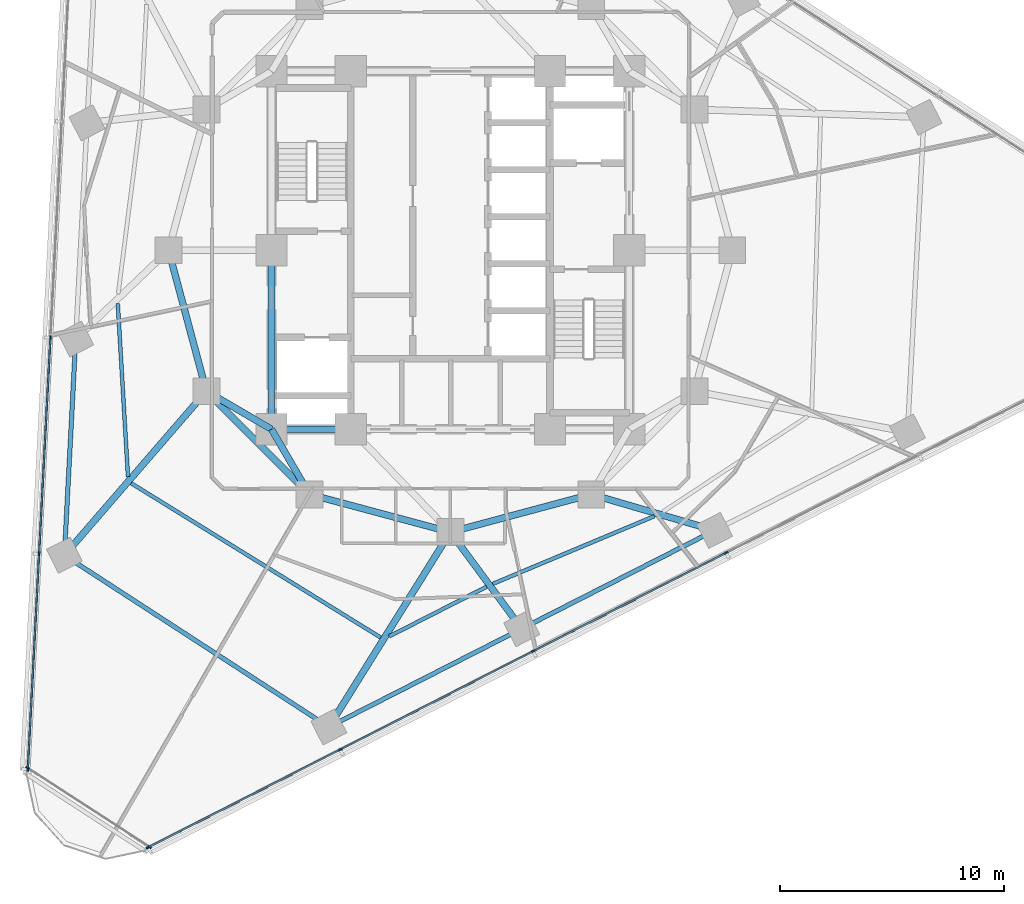
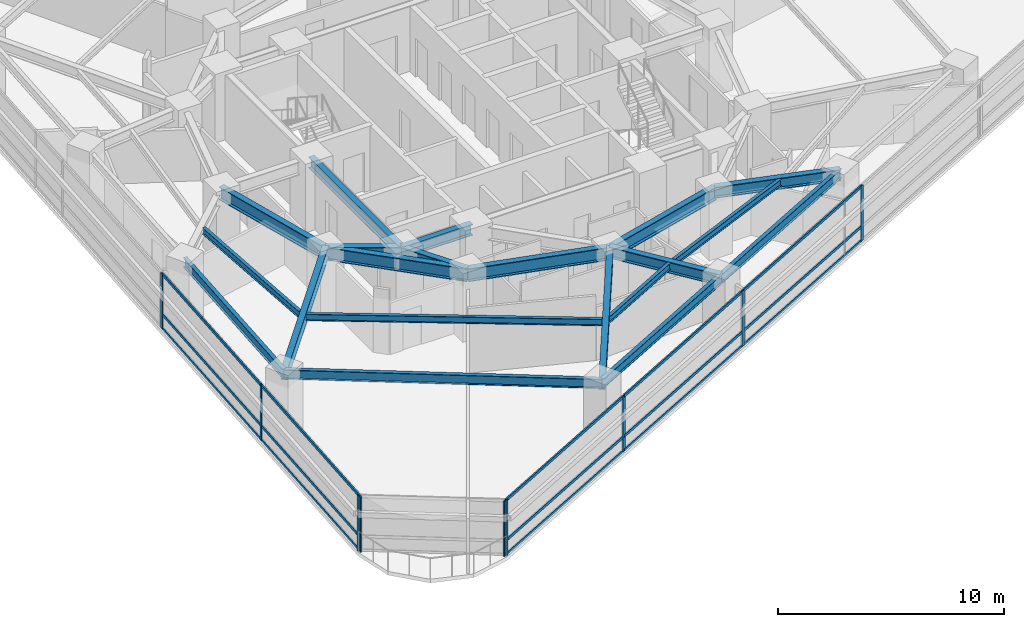
# One storey, part 2 of 14: 24 members, 20 beams, 3 elements without a shape of their own.
"""IFC4 building model written with IfcOpenShell, lengths in metres."""

from ifc_helpers import new_model, si_unit, direction, frame, origin, origin_2d, place, context, subcontext, project, spatial, rectangle, i_section, extrude, material, layer, layer_set, material_profile, profile_set, type_object, element, aggregate, save


model = new_model("IFC4")

# Units and contexts
model_context = context("Model", 3, precision=1e-05, world=origin(), true_north=direction((0.0, 1.0)))
body_context = subcontext(model_context, "Body", "Model", "MODEL_VIEW")
ifc_project = project(units=[si_unit("LENGTHUNIT", "METRE"), si_unit("AREAUNIT", "SQUARE_METRE"), si_unit("VOLUMEUNIT", "CUBIC_METRE"), si_unit("PLANEANGLEUNIT", "RADIAN"), si_unit("MASSUNIT", "GRAM", prefix="KILO")], contexts=[model_context])

# Site, building, storey
site_placement = place(None, origin())
site = spatial("IfcSite", under=ifc_project, at=site_placement, CompositionType="ELEMENT")
building_placement = place(site_placement, origin())
building = spatial("IfcBuilding", under=site, at=building_placement, Name="Terralouvre Media Tower", CompositionType="ELEMENT")
storey_placement = place(building_placement, frame((0.0, 0.0, 142.10009765625)))
storey = spatial("IfcBuildingStorey", under=building, at=storey_placement, Name="L36", CompositionType="ELEMENT", Elevation=142.10009765625)

# Beams
ifc_material_1 = material(Name="Structural steel S355J2", Category="steel")
ifc_material_profile_1 = material_profile(ifc_material_1, i_section(OverallWidth=0.169921875, OverallDepth=0.360107421875, WebThickness=0.008056640625, FlangeThickness=0.0126953125, at=origin_2d()), Name="IPE 360")
ifc_profile_set_1 = profile_set([ifc_material_profile_1], Name="Structural steel S355J2")
beam_type_1 = type_object("IfcBeamType", Name="Composite Floor Joist J-IPE360 (IPE 360)", PredefinedType="JOIST", material=ifc_profile_set_1)
beam_1_placement = place(storey_placement, frame((-14.872314453125, -2.377197265625, 3.31982421875), z_axis=(0.058878824525, -0.998265137137, 0.0), x_axis=(0.998265137137, 0.058878824525, 0.0)))
element("IfcBeam", 1, at=beam_1_placement, inside=storey, type_object=beam_type_1, Name="L36 Framing Beam JT-L36-01", PredefinedType="JOIST", context=body_context, shape_type="SweptSolid", body=[
    extrude(i_section(OverallWidth=0.169921875, OverallDepth=0.360107421875, WebThickness=0.008056640625, FlangeThickness=0.0126953125, at=origin_2d()), origin(), (0.0, 0.0, 1.0), 7.758056640625),
])
beam_2_placement = place(storey_placement, frame((-14.275390625, -10.413330078125, 3.31982421875), z_axis=(0.850512534705, -0.525954777818, 0.0), x_axis=(0.525954777818, 0.850512534705, 0.0)))
element("IfcBeam", 2, at=beam_2_placement, inside=storey, type_object=beam_type_1, Name="L36 Framing Beam JT-L36-02", PredefinedType="JOIST", context=body_context, shape_type="SweptSolid", body=[
    extrude(i_section(OverallWidth=0.169921875, OverallDepth=0.360107421875, WebThickness=0.008056640625, FlangeThickness=0.0126953125, at=origin_2d()), origin(), (0.0, 0.0, 1.0), 13.118896484375),
])
beam_3_placement = place(storey_placement, frame((-2.732666015625, -17.260986328125, 3.31982421875), z_axis=(0.891002879415, 0.453997652939, 0.0), x_axis=(-0.453997652939, 0.891002879415, 0.0)))
element("IfcBeam", 3, at=beam_3_placement, inside=storey, type_object=beam_type_1, Name="L36 Framing Beam JT-L36-03", PredefinedType="JOIST", context=body_context, shape_type="SweptSolid", body=[
    extrude(i_section(OverallWidth=0.169921875, OverallDepth=0.360107421875, WebThickness=0.008056640625, FlangeThickness=0.0126953125, at=origin_2d()), origin(), (0.0, 0.0, 1.0), 4.885009765625),
])
beam_4_placement = place(storey_placement, frame((1.89404296875, -14.916259765625, 3.31982421875), z_axis=(0.922254640504, 0.386582951085, 0.0), x_axis=(-0.386582951085, 0.922254640504, 0.0)))
element("IfcBeam", 4, at=beam_4_placement, inside=storey, type_object=beam_type_1, Name="L36 Framing Beam JT-L36-04", PredefinedType="JOIST", context=body_context, shape_type="SweptSolid", body=[
    extrude(i_section(OverallWidth=0.169921875, OverallDepth=0.360107421875, WebThickness=0.008056640625, FlangeThickness=0.0126953125, at=origin_2d()), origin(), (0.0, 0.0, 1.0), 7.8291015625),
])

# Curtain wall, members
ifc_material_2 = material(Name="Low-iron laminated double glazing with solar-control coating", Category="glass")
ifc_layer_1 = layer(ifc_material_2, 0.1650390625, Name="Production Studio Tower Curtain Wall CW-03")
ifc_layer_set_1 = layer_set([ifc_layer_1], Name="Low-iron laminated double glazing with solar-control coating")
curtain_wall_type_1 = type_object("IfcCurtainWallType", Name="Production Studio Tower Curtain Wall CW-03", PredefinedType="NOTDEFINED", material=ifc_layer_set_1)
curtain_wall_1_placement = place(storey_placement, origin())
curtain_wall_1 = element("IfcCurtainWall", 5, at=curtain_wall_1_placement, inside=storey, type_object=curtain_wall_type_1, Name="L36 Facade Curtain Wall F0", PredefinedType="NOTDEFINED")
ifc_material_3 = material(Name="Anodised extruded aluminium 6063-T6", Category="aluminium")
ifc_material_profile_2 = material_profile(ifc_material_3, rectangle(XDim=0.074951171875, YDim=0.14990234375, at=origin_2d()), Name="ALU 75x150")
ifc_profile_set_2 = profile_set([ifc_material_profile_2], Name="Anodised extruded aluminium 6063-T6")
member_type_1 = type_object("IfcMemberType", Name="Curtain-Wall Horizontal Transom TR-150", PredefinedType="USERDEFINED", material=ifc_profile_set_2)
member_1_placement = place(storey_placement, frame((-13.481689453125, -26.680419921875, 0.037353515625), z_axis=(0.891007557644, 0.453988471462, 0.0), x_axis=(-0.453988471462, 0.891007557644, 0.0)))
member_1 = element("IfcMember", 6, at=member_1_placement, type_object=member_type_1, Name="CW-03 transom 1.1", ObjectType="TRANSOM", PredefinedType="USERDEFINED", context=body_context, shape_type="SweptSolid", body=[
    extrude(rectangle(XDim=0.074951171875, YDim=0.14990234375, at=origin_2d()), origin(), (0.0, 0.0, 1.0), 9.5673828125),
])
member_2_placement = place(storey_placement, frame((-13.481689453125, -26.680419921875, 0.7998046875), z_axis=(0.891007557644, 0.453988471462, 0.0), x_axis=(-0.453988471462, 0.891007557644, 0.0)))
member_2 = element("IfcMember", 7, at=member_2_placement, type_object=member_type_1, Name="CW-03 transom 1.2", ObjectType="TRANSOM", PredefinedType="USERDEFINED", context=body_context, shape_type="SweptSolid", body=[
    extrude(rectangle(XDim=0.074951171875, YDim=0.14990234375, at=origin_2d()), origin(), (0.0, 0.0, 1.0), 9.5673828125),
])
member_3_placement = place(storey_placement, frame((-13.481689453125, -26.680419921875, 2.96240234375), z_axis=(0.891007557644, 0.453988471462, 0.0), x_axis=(-0.453988471462, 0.891007557644, 0.0)))
member_3 = element("IfcMember", 8, at=member_3_placement, type_object=member_type_1, Name="CW-03 transom 1.3", ObjectType="TRANSOM", PredefinedType="USERDEFINED", context=body_context, shape_type="SweptSolid", body=[
    extrude(rectangle(XDim=0.074951171875, YDim=0.14990234375, at=origin_2d()), origin(), (0.0, 0.0, 1.0), 9.5673828125),
])
member_4_placement = place(storey_placement, frame((-4.89013671875, -22.302978515625, 0.037353515625), z_axis=(0.891005548508, 0.453992414615, 0.0), x_axis=(-0.453992414615, 0.891005548508, 0.0)))
member_4 = element("IfcMember", 9, at=member_4_placement, type_object=member_type_1, Name="CW-03 transom 2.1", ObjectType="TRANSOM", PredefinedType="USERDEFINED", context=body_context, shape_type="SweptSolid", body=[
    extrude(rectangle(XDim=0.074951171875, YDim=0.14990234375, at=origin_2d()), origin(), (0.0, 0.0, 1.0), 9.60498046875),
])
member_5_placement = place(storey_placement, frame((-4.89013671875, -22.302978515625, 0.7998046875), z_axis=(0.891005548508, 0.453992414615, 0.0), x_axis=(-0.453992414615, 0.891005548508, 0.0)))
member_5 = element("IfcMember", 10, at=member_5_placement, type_object=member_type_1, Name="CW-03 transom 2.2", ObjectType="TRANSOM", PredefinedType="USERDEFINED", context=body_context, shape_type="SweptSolid", body=[
    extrude(rectangle(XDim=0.074951171875, YDim=0.14990234375, at=origin_2d()), origin(), (0.0, 0.0, 1.0), 9.60498046875),
])
member_6_placement = place(storey_placement, frame((-4.89013671875, -22.302978515625, 2.96240234375), z_axis=(0.891005548508, 0.453992414615, 0.0), x_axis=(-0.453992414615, 0.891005548508, 0.0)))
member_6 = element("IfcMember", 11, at=member_6_placement, type_object=member_type_1, Name="CW-03 transom 2.3", ObjectType="TRANSOM", PredefinedType="USERDEFINED", context=body_context, shape_type="SweptSolid", body=[
    extrude(rectangle(XDim=0.074951171875, YDim=0.14990234375, at=origin_2d()), origin(), (0.0, 0.0, 1.0), 9.60498046875),
])
member_7_placement = place(storey_placement, frame((3.734619140625, -17.908203125, 0.037353515625), z_axis=(0.891005548508, 0.453992414615, 0.0), x_axis=(-0.453992414615, 0.891005548508, 0.0)))
member_7 = element("IfcMember", 12, at=member_7_placement, type_object=member_type_1, Name="CW-03 transom 3.1", ObjectType="TRANSOM", PredefinedType="USERDEFINED", context=body_context, shape_type="SweptSolid", body=[
    extrude(rectangle(XDim=0.074951171875, YDim=0.14990234375, at=origin_2d()), origin(), (0.0, 0.0, 1.0), 9.60498046875),
])
member_8_placement = place(storey_placement, frame((3.734619140625, -17.908203125, 0.7998046875), z_axis=(0.891005548508, 0.453992414615, 0.0), x_axis=(-0.453992414615, 0.891005548508, 0.0)))
member_8 = element("IfcMember", 13, at=member_8_placement, type_object=member_type_1, Name="CW-03 transom 3.2", ObjectType="TRANSOM", PredefinedType="USERDEFINED", context=body_context, shape_type="SweptSolid", body=[
    extrude(rectangle(XDim=0.074951171875, YDim=0.14990234375, at=origin_2d()), origin(), (0.0, 0.0, 1.0), 9.60498046875),
])
member_9_placement = place(storey_placement, frame((3.734619140625, -17.908203125, 2.96240234375), z_axis=(0.891005548508, 0.453992414615, 0.0), x_axis=(-0.453992414615, 0.891005548508, 0.0)))
member_9 = element("IfcMember", 14, at=member_9_placement, type_object=member_type_1, Name="CW-03 transom 3.3", ObjectType="TRANSOM", PredefinedType="USERDEFINED", context=body_context, shape_type="SweptSolid", body=[
    extrude(rectangle(XDim=0.074951171875, YDim=0.14990234375, at=origin_2d()), origin(), (0.0, 0.0, 1.0), 9.60498046875),
])

curtain_wall_2_placement = place(storey_placement, origin())
curtain_wall_2 = element("IfcCurtainWall", 15, at=curtain_wall_2_placement, inside=storey, type_object=curtain_wall_type_1, Name="L36 Facade Curtain Wall F2", PredefinedType="NOTDEFINED")
member_10_placement = place(storey_placement, frame((-17.883056640625, -3.947021484375, 0.037353515625), z_axis=(-0.052336036535, -0.998629530547, 0.0), x_axis=(0.998629530547, -0.052336036535, 0.0)))
member_10 = element("IfcMember", 16, at=member_10_placement, type_object=member_type_1, Name="CW-03 transom 4.1", ObjectType="TRANSOM", PredefinedType="USERDEFINED", context=body_context, shape_type="SweptSolid", body=[
    extrude(rectangle(XDim=0.074951171875, YDim=0.14990234375, at=origin_2d()), origin(), (0.0, 0.0, 1.0), 9.60498046875),
])
member_11_placement = place(storey_placement, frame((-17.883056640625, -3.947021484375, 0.7998046875), z_axis=(-0.052336036535, -0.998629530547, 0.0), x_axis=(0.998629530547, -0.052336036535, 0.0)))
member_11 = element("IfcMember", 17, at=member_11_placement, type_object=member_type_1, Name="CW-03 transom 4.2", ObjectType="TRANSOM", PredefinedType="USERDEFINED", context=body_context, shape_type="SweptSolid", body=[
    extrude(rectangle(XDim=0.074951171875, YDim=0.14990234375, at=origin_2d()), origin(), (0.0, 0.0, 1.0), 9.60498046875),
])
member_12_placement = place(storey_placement, frame((-17.883056640625, -3.947021484375, 2.96240234375), z_axis=(-0.052336036535, -0.998629530547, 0.0), x_axis=(0.998629530547, -0.052336036535, 0.0)))
member_12 = element("IfcMember", 18, at=member_12_placement, type_object=member_type_1, Name="CW-03 transom 4.3", ObjectType="TRANSOM", PredefinedType="USERDEFINED", context=body_context, shape_type="SweptSolid", body=[
    extrude(rectangle(XDim=0.074951171875, YDim=0.14990234375, at=origin_2d()), origin(), (0.0, 0.0, 1.0), 9.60498046875),
])
member_13_placement = place(storey_placement, frame((-18.3896484375, -13.61376953125, 0.037353515625), z_axis=(-0.052336504837, -0.998629506004, 0.0), x_axis=(0.998629506004, -0.052336504837, 0.0)))
member_13 = element("IfcMember", 19, at=member_13_placement, type_object=member_type_1, Name="CW-03 transom 5.1", ObjectType="TRANSOM", PredefinedType="USERDEFINED", context=body_context, shape_type="SweptSolid", body=[
    extrude(rectangle(XDim=0.074951171875, YDim=0.14990234375, at=origin_2d()), origin(), (0.0, 0.0, 1.0), 9.567626953125),
])
member_14_placement = place(storey_placement, frame((-18.3896484375, -13.61376953125, 0.7998046875), z_axis=(-0.052336504837, -0.998629506004, 0.0), x_axis=(0.998629506004, -0.052336504837, 0.0)))
member_14 = element("IfcMember", 20, at=member_14_placement, type_object=member_type_1, Name="CW-03 transom 5.2", ObjectType="TRANSOM", PredefinedType="USERDEFINED", context=body_context, shape_type="SweptSolid", body=[
    extrude(rectangle(XDim=0.074951171875, YDim=0.14990234375, at=origin_2d()), origin(), (0.0, 0.0, 1.0), 9.567626953125),
])
member_15_placement = place(storey_placement, frame((-18.3896484375, -13.61376953125, 2.96240234375), z_axis=(-0.052336504837, -0.998629506004, 0.0), x_axis=(0.998629506004, -0.052336504837, 0.0)))
member_15 = element("IfcMember", 21, at=member_15_placement, type_object=member_type_1, Name="CW-03 transom 5.3", ObjectType="TRANSOM", PredefinedType="USERDEFINED", context=body_context, shape_type="SweptSolid", body=[
    extrude(rectangle(XDim=0.074951171875, YDim=0.14990234375, at=origin_2d()), origin(), (0.0, 0.0, 1.0), 9.567626953125),
])

# Member
ifc_material_4 = material(Name="Anodised extruded aluminium 6063-T6", Category="aluminium")
ifc_material_profile_3 = material_profile(ifc_material_4, rectangle(XDim=0.074951171875, YDim=0.179931640625, at=origin_2d()), Name="ALU 75x180")
ifc_profile_set_3 = profile_set([ifc_material_profile_3], Name="Anodised extruded aluminium 6063-T6")
member_type_2 = type_object("IfcMemberType", Name="Curtain-Wall Vertical Mullion ML-180", PredefinedType="MULLION", material=ifc_profile_set_3)
member_16_placement = place(storey_placement, frame((-13.51513671875, -26.697509765625, 0.0), z_axis=(0.0, 0.0, 1.0), x_axis=(-0.4539905449, 0.891006501178, 0.0)))
member_16 = element("IfcMember", 22, at=member_16_placement, type_object=member_type_2, Name="CW-03 mullion 1", PredefinedType="MULLION", context=body_context, shape_type="SweptSolid", body=[
    extrude(rectangle(XDim=0.074951171875, YDim=0.179931640625, at=origin_2d()), origin(), (0.0, 0.0, 1.0), 3.0),
])

member_17_placement = place(storey_placement, frame((-4.923583984375, -22.31982421875, 0.0), z_axis=(0.0, 0.0, 1.0), x_axis=(-0.4539905449, 0.891006501178, 0.0)))
member_17 = element("IfcMember", 23, at=member_17_placement, type_object=member_type_2, Name="CW-03 mullion 2", PredefinedType="MULLION", context=body_context, shape_type="SweptSolid", body=[
    extrude(rectangle(XDim=0.074951171875, YDim=0.179931640625, at=origin_2d()), origin(), (0.0, 0.0, 1.0), 3.0),
])

member_18_placement = place(storey_placement, frame((3.701416015625, -17.92529296875, 0.0), z_axis=(0.0, 0.0, 1.0), x_axis=(-0.4539905449, 0.891006501178, 0.0)))
member_18 = element("IfcMember", 24, at=member_18_placement, type_object=member_type_2, Name="CW-03 mullion 3", PredefinedType="MULLION", context=body_context, shape_type="SweptSolid", body=[
    extrude(rectangle(XDim=0.074951171875, YDim=0.179931640625, at=origin_2d()), origin(), (0.0, 0.0, 1.0), 3.0),
])

member_19_placement = place(storey_placement, frame((12.326171875, -13.530517578125, 0.0), z_axis=(0.0, 0.0, 1.0), x_axis=(-0.4539905449, 0.891006501178, 0.0)))
member_19 = element("IfcMember", 25, at=member_19_placement, type_object=member_type_2, Name="CW-03 mullion 4", PredefinedType="MULLION", context=body_context, shape_type="SweptSolid", body=[
    extrude(rectangle(XDim=0.074951171875, YDim=0.179931640625, at=origin_2d()), origin(), (0.0, 0.0, 1.0), 3.0),
])

aggregate(curtain_wall_1, [member_16, member_17, member_18, member_19, member_1, member_2, member_3, member_4, member_5, member_6, member_7, member_8, member_9])

member_20_placement = place(storey_placement, frame((-17.881103515625, -3.909423828125, 0.0), z_axis=(0.0, 0.0, 1.0), x_axis=(0.998629535089, -0.052335949864, 0.0)))
member_20 = element("IfcMember", 26, at=member_20_placement, type_object=member_type_2, Name="CW-03 mullion 4", PredefinedType="MULLION", context=body_context, shape_type="SweptSolid", body=[
    extrude(rectangle(XDim=0.074951171875, YDim=0.179931640625, at=origin_2d()), origin(), (0.0, 0.0, 1.0), 3.0),
])

member_21_placement = place(storey_placement, frame((-18.3876953125, -13.576171875, 0.0), z_axis=(0.0, 0.0, 1.0), x_axis=(0.998629535089, -0.052335949864, 0.0)))
member_21 = element("IfcMember", 27, at=member_21_placement, type_object=member_type_2, Name="CW-03 mullion 5", PredefinedType="MULLION", context=body_context, shape_type="SweptSolid", body=[
    extrude(rectangle(XDim=0.074951171875, YDim=0.179931640625, at=origin_2d()), origin(), (0.0, 0.0, 1.0), 3.0),
])

member_22_placement = place(storey_placement, frame((-18.892333984375, -23.20556640625, 0.0), z_axis=(0.0, 0.0, 1.0), x_axis=(0.998629535089, -0.052335949864, 0.0)))
member_22 = element("IfcMember", 28, at=member_22_placement, type_object=member_type_2, Name="CW-03 mullion 6", PredefinedType="MULLION", context=body_context, shape_type="SweptSolid", body=[
    extrude(rectangle(XDim=0.074951171875, YDim=0.179931640625, at=origin_2d()), origin(), (0.0, 0.0, 1.0), 3.0),
])

aggregate(curtain_wall_2, [member_20, member_21, member_22, member_10, member_11, member_12, member_13, member_14, member_15])

# Curtain wall, members
ifc_material_5 = material(Name="Low-iron laminated double glazing with solar-control coating", Category="glass")
ifc_layer_2 = layer(ifc_material_5, 0.1650390625, Name="Rounded Wind-Corner Curved Glazing CW-04")
ifc_layer_set_2 = layer_set([ifc_layer_2], Name="Low-iron laminated double glazing with solar-control coating")
curtain_wall_type_2 = type_object("IfcCurtainWallType", Name="Rounded Wind-Corner Curved Glazing CW-04", PredefinedType="NOTDEFINED", material=ifc_layer_set_2)
curtain_wall_3_placement = place(storey_placement, origin())
curtain_wall_3 = element("IfcCurtainWall", 29, at=curtain_wall_3_placement, inside=storey, type_object=curtain_wall_type_2, Name="L36 Rounded Wind-Corner Curtain Wall C0", PredefinedType="NOTDEFINED")
member_23_placement = place(storey_placement, frame((-18.90625, -23.1396484375, 0.0), z_axis=(0.0, 0.0, 1.0), x_axis=(0.544639308152, 0.838670390568, 0.0)))
member_23 = element("IfcMember", 30, at=member_23_placement, type_object=member_type_2, Name="CW-04 mullion 1", PredefinedType="MULLION", context=body_context, shape_type="SweptSolid", body=[
    extrude(rectangle(XDim=0.074951171875, YDim=0.179931640625, at=origin_2d()), origin(), (0.0, 0.0, 1.0), 3.0),
])
member_24_placement = place(storey_placement, frame((-13.44921875, -26.68359375, 0.0), z_axis=(0.0, 0.0, 1.0), x_axis=(0.544639308152, 0.838670390568, 0.0)))
member_24 = element("IfcMember", 31, at=member_24_placement, type_object=member_type_2, Name="CW-04 mullion 2", PredefinedType="MULLION", context=body_context, shape_type="SweptSolid", body=[
    extrude(rectangle(XDim=0.074951171875, YDim=0.179931640625, at=origin_2d()), origin(), (0.0, 0.0, 1.0), 3.0),
])
aggregate(curtain_wall_3, [member_23, member_24])

# Beams
ifc_material_6 = material(Name="Structural steel S355J2", Category="steel")
ifc_material_profile_4 = material_profile(ifc_material_6, i_section(OverallWidth=0.199951171875, OverallDepth=0.5, WebThickness=0.01025390625, FlangeThickness=0.01611328125, at=origin_2d()), Name="IPE 500")
ifc_profile_set_4 = profile_set([ifc_material_profile_4], Name="Structural steel S355J2")
beam_type_2 = type_object("IfcBeamType", Name="Perimeter Spandrel Beam SPB-500 (IPE 500)", PredefinedType="SPANDREL", material=ifc_profile_set_4)
beam_5_placement = place(storey_placement, frame((-16.75244140625, -3.96875, 3.25), z_axis=(-0.052333792648, -0.998629648141, 0.0), x_axis=(0.998629648141, -0.052333792648, 0.0)))
element("IfcBeam", 32, at=beam_5_placement, inside=storey, type_object=beam_type_2, Name="L36 Framing Beam BM-L36-PR01", PredefinedType="SPANDREL", context=body_context, shape_type="SweptSolid", body=[
    extrude(i_section(OverallWidth=0.199951171875, OverallDepth=0.5, WebThickness=0.01025390625, FlangeThickness=0.01611328125, at=origin_2d()), origin(), (0.0, 0.0, 1.0), 9.679931640625),
])
beam_6_placement = place(storey_placement, frame((-17.259033203125, -13.635498046875, 3.25), z_axis=(0.838675019369, -0.544632180363, 0.0), x_axis=(0.544632180363, 0.838675019369, 0.0)))
element("IfcBeam", 33, at=beam_6_placement, inside=storey, type_object=beam_type_2, Name="L36 Framing Beam BM-L36-PR02", PredefinedType="SPANDREL", context=body_context, shape_type="SweptSolid", body=[
    extrude(i_section(OverallWidth=0.199951171875, OverallDepth=0.5, WebThickness=0.01025390625, FlangeThickness=0.01611328125, at=origin_2d()), origin(), (0.0, 0.0, 1.0), 14.0966796875),
])
beam_7_placement = place(storey_placement, frame((-5.4365234375, -21.31298828125, 3.25), z_axis=(0.891006580855, 0.453990388524, 0.0), x_axis=(-0.453990388524, 0.891006580855, 0.0)))
element("IfcBeam", 34, at=beam_7_placement, inside=storey, type_object=beam_type_2, Name="L36 Framing Beam BM-L36-PR03", PredefinedType="SPANDREL", context=body_context, shape_type="SweptSolid", body=[
    extrude(i_section(OverallWidth=0.199951171875, OverallDepth=0.5, WebThickness=0.01025390625, FlangeThickness=0.01611328125, at=origin_2d()), origin(), (0.0, 0.0, 1.0), 9.6796875),
])
beam_8_placement = place(storey_placement, frame((3.188232421875, -16.91845703125, 3.25), z_axis=(0.891001576959, 0.454000209093, 0.0), x_axis=(-0.454000209093, 0.891001576959, 0.0)))
element("IfcBeam", 35, at=beam_8_placement, inside=storey, type_object=beam_type_2, Name="L36 Framing Beam BM-L36-PR04", PredefinedType="SPANDREL", context=body_context, shape_type="SweptSolid", body=[
    extrude(i_section(OverallWidth=0.199951171875, OverallDepth=0.5, WebThickness=0.01025390625, FlangeThickness=0.01611328125, at=origin_2d()), origin(), (0.0, 0.0, 1.0), 9.68017578125),
])
ifc_material_7 = material(Name="Structural steel S460M", Category="steel")
ifc_material_profile_5 = material_profile(ifc_material_7, i_section(OverallWidth=0.300048828125, OverallDepth=0.60009765625, WebThickness=0.015380859375, FlangeThickness=0.030029296875, at=origin_2d()), Name="HEB 600")
ifc_profile_set_5 = profile_set([ifc_material_profile_5], Name="Structural steel S460M")
beam_type_3 = type_object("IfcBeamType", Name="Primary Floor Girder B-HEB600 (HEB 600)", PredefinedType="BEAM", material=ifc_profile_set_5)
beam_9_placement = place(storey_placement, frame((-8.0, -8.0, 3.199951171875), z_axis=(1.0, 0.0, 0.0), x_axis=(0.0, 1.0, 0.0)))
element("IfcBeam", 36, at=beam_9_placement, inside=storey, type_object=beam_type_3, Name="L36 Framing Beam BM-L36-CPR01", PredefinedType="BEAM", context=body_context, shape_type="SweptSolid", body=[
    extrude(i_section(OverallWidth=0.300048828125, OverallDepth=0.60009765625, WebThickness=0.015380859375, FlangeThickness=0.030029296875, at=origin_2d()), origin(), (0.0, 0.0, 1.0), 3.550048828125),
])
beam_10_placement = place(storey_placement, frame((-8.0, 0.0, 3.199951171875), z_axis=(0.0, -1.0, 0.0), x_axis=(1.0, 0.0, 0.0)))
element("IfcBeam", 37, at=beam_10_placement, inside=storey, type_object=beam_type_3, Name="L36 Framing Beam BM-L36-CPR10", PredefinedType="BEAM", context=body_context, shape_type="SweptSolid", body=[
    extrude(i_section(OverallWidth=0.300048828125, OverallDepth=0.60009765625, WebThickness=0.015380859375, FlangeThickness=0.030029296875, at=origin_2d()), origin(), (0.0, 0.0, 1.0), 8.0),
])
beam_11_placement = place(storey_placement, frame((-10.911865234375, -6.300048828125, 3.199951171875), z_axis=(-0.654328588351, -0.756210353319, 0.0), x_axis=(0.756210353319, -0.654328588351, 0.0)))
element("IfcBeam", 38, at=beam_11_placement, inside=storey, type_object=beam_type_3, Name="L36 Framing Beam BM-L36-RD02", PredefinedType="BEAM", context=body_context, shape_type="SweptSolid", body=[
    extrude(i_section(OverallWidth=0.300048828125, OverallDepth=0.60009765625, WebThickness=0.015380859375, FlangeThickness=0.030029296875, at=origin_2d()), origin(), (0.0, 0.0, 1.0), 9.7001953125),
])
beam_12_placement = place(storey_placement, frame((0.0, -12.60009765625, 3.199951171875), z_axis=(-0.529366283505, -0.848393386282, 0.0), x_axis=(0.848393386282, -0.529366283505, 0.0)))
element("IfcBeam", 39, at=beam_12_placement, inside=storey, type_object=beam_type_3, Name="L36 Framing Beam BM-L36-RD03", PredefinedType="BEAM", context=body_context, shape_type="SweptSolid", body=[
    extrude(i_section(OverallWidth=0.300048828125, OverallDepth=0.60009765625, WebThickness=0.015380859375, FlangeThickness=0.030029296875, at=origin_2d()), origin(), (0.0, 0.0, 1.0), 10.269775390625),
])
beam_13_placement = place(storey_placement, frame((0.0, -12.60009765625, 3.199951171875), z_axis=(0.593957444229, -0.804496460182, 0.0), x_axis=(0.804496460182, 0.593957444229, 0.0)))
element("IfcBeam", 40, at=beam_13_placement, inside=storey, type_object=beam_type_3, Name="L36 Framing Beam BM-L36-RD04", PredefinedType="BEAM", context=body_context, shape_type="SweptSolid", body=[
    extrude(i_section(OverallWidth=0.300048828125, OverallDepth=0.60009765625, WebThickness=0.015380859375, FlangeThickness=0.030029296875, at=origin_2d()), origin(), (0.0, 0.0, 1.0), 5.36767578125),
])
beam_14_placement = place(storey_placement, frame((6.300048828125, -10.911865234375, 3.199951171875), z_axis=(0.959821765834, -0.280610366577, 0.0), x_axis=(0.280610366577, 0.959821765834, 0.0)))
element("IfcBeam", 41, at=beam_14_placement, inside=storey, type_object=beam_type_3, Name="L36 Framing Beam BM-L36-RD05", PredefinedType="BEAM", context=body_context, shape_type="SweptSolid", body=[
    extrude(i_section(OverallWidth=0.300048828125, OverallDepth=0.60009765625, WebThickness=0.015380859375, FlangeThickness=0.030029296875, at=origin_2d()), origin(), (0.0, 0.0, 1.0), 5.743896484375),
])
ifc_material_8 = material(Name="Structural steel S460M", Category="steel")
ifc_material_profile_6 = material_profile(ifc_material_8, i_section(OverallWidth=0.300048828125, OverallDepth=0.699951171875, WebThickness=0.01708984375, FlangeThickness=0.031982421875, at=origin_2d()), Name="HEB 700")
ifc_profile_set_6 = profile_set([ifc_material_profile_6], Name="Structural steel S460M")
beam_type_4 = type_object("IfcBeamType", Name="Primary Floor Girder B-HEB700 (HEB 700)", PredefinedType="BEAM", material=ifc_profile_set_6)
beam_15_placement = place(storey_placement, frame((-10.911865234375, -6.300048828125, 3.14990234375), z_axis=(0.707106781187, -0.707106781187, 0.0), x_axis=(0.707106781187, 0.707106781187, 0.0)))
element("IfcBeam", 42, at=beam_15_placement, inside=storey, type_object=beam_type_4, Name="L36 Framing Beam BM-L36-MR01", PredefinedType="BEAM", context=body_context, shape_type="SweptSolid", body=[
    extrude(i_section(OverallWidth=0.300048828125, OverallDepth=0.699951171875, WebThickness=0.01708984375, FlangeThickness=0.031982421875, at=origin_2d()), origin(), (0.0, 0.0, 1.0), 6.52197265625),
])
for number, where, z_axis, x_axis, name in (
    (43, (-6.300048828125, -10.911865234375, 3.14990234375), (0.965920481897, -0.258838989821, 0.0), (0.258838989821, 0.965920481897, 0.0), "L36 Framing Beam BM-L36-MR02"),
    (44, (0.0, -12.60009765625, 3.14990234375), (0.965920481897, 0.258838989821, 0.0), (-0.258838989821, 0.965920481897, 0.0), "L36 Framing Beam BM-L36-MR03"),
    (45, (-12.60009765625, 0.0, 3.14990234375), (0.258838989821, -0.965920481897, 0.0), (0.965920481897, 0.258838989821, 0.0), "L36 Framing Beam BM-L36-MR12"),
):
    element("IfcBeam", number, at=place(storey_placement, frame(where, z_axis=z_axis, x_axis=x_axis)), inside=storey, type_object=beam_type_4, Name=name, PredefinedType="BEAM", context=body_context, shape_type="SweptSolid", body=[
        extrude(i_section(OverallWidth=0.300048828125, OverallDepth=0.699951171875, WebThickness=0.01708984375, FlangeThickness=0.031982421875, at=origin_2d()), origin(), (0.0, 0.0, 1.0), 6.522216796875),
    ])
for number, where, z_axis, x_axis, name in (
    (46, (-8.0, -8.0, 3.14990234375), (-0.863602894532, 0.504172629717, 0.0), (-0.504172629717, -0.863602894532, 0.0), "L36 Framing Beam BM-L36-CM01"),
    (47, (-8.0, -8.0, 3.14990234375), (0.504172629717, -0.863602894532, 0.0), (0.863602894532, 0.504172629717, 0.0), "L36 Framing Beam BM-L36-CM02"),
):
    element("IfcBeam", number, at=place(storey_placement, frame(where, z_axis=z_axis, x_axis=x_axis)), inside=storey, type_object=beam_type_4, Name=name, PredefinedType="BEAM", context=body_context, shape_type="SweptSolid", body=[
        extrude(i_section(OverallWidth=0.300048828125, OverallDepth=0.699951171875, WebThickness=0.01708984375, FlangeThickness=0.031982421875, at=origin_2d()), origin(), (0.0, 0.0, 1.0), 3.371826171875),
    ])

save(model, "model.ifc")
